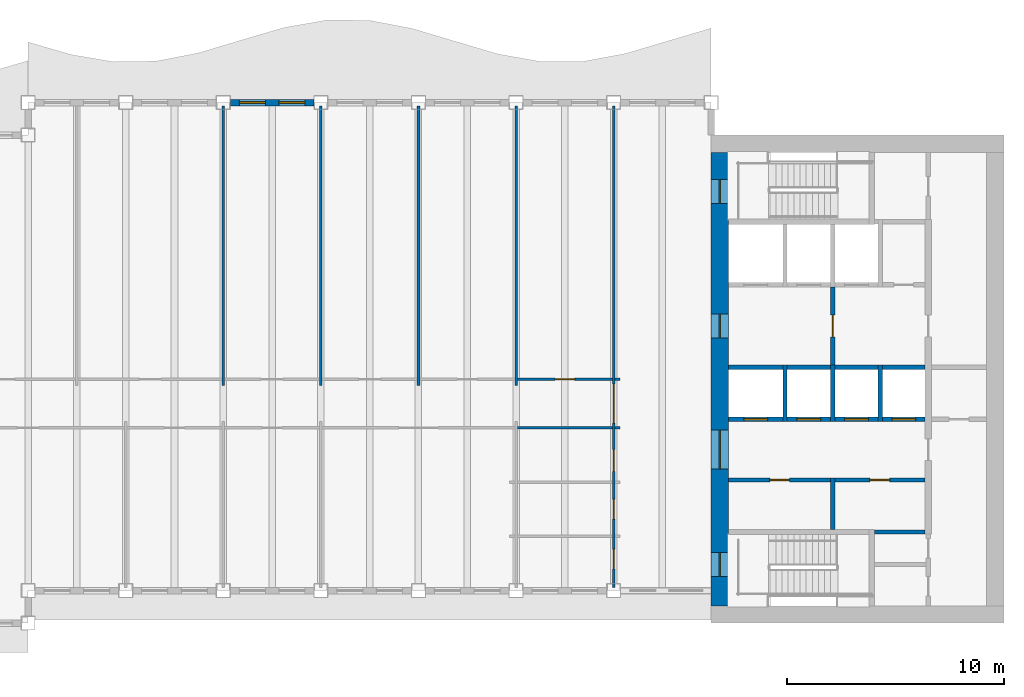
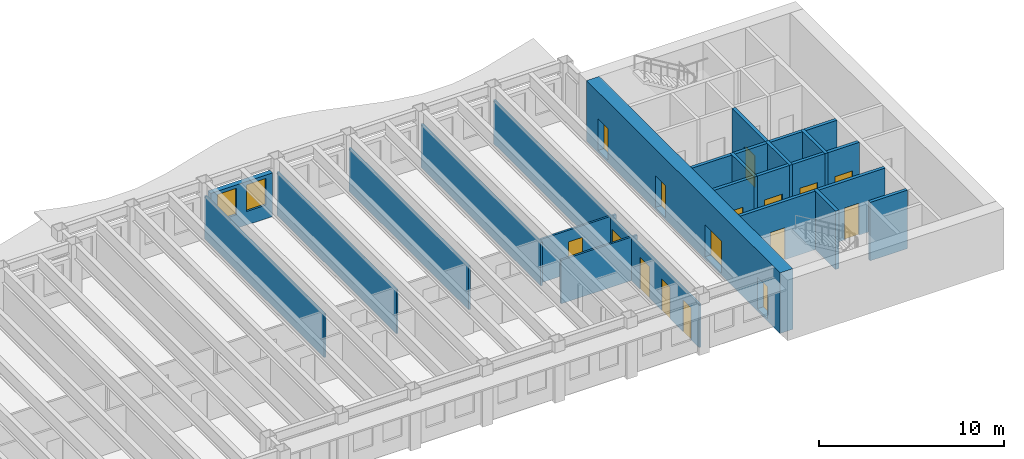
# One storey, part 5 of 12: 27 walls, 16 doors, 2 windows, 18 openings.
"""IFC4 building model written with IfcOpenShell, lengths in metres."""

from ifc_helpers import new_model, si_unit, direction, frame, frame_2d, origin, place, context, subcontext, project, spatial, rectangle, extrude, material, layer, layer_set, type_object, element, fill, save


model = new_model("IFC4")

# Units and contexts
model_context = context("Model", 3, precision=1e-05, world=origin(), true_north=direction((0.0, 1.0)))
body_context = subcontext(model_context, "Body", "Model", "MODEL_VIEW")
ifc_project = project(units=[si_unit("LENGTHUNIT", "METRE"), si_unit("AREAUNIT", "SQUARE_METRE"), si_unit("VOLUMEUNIT", "CUBIC_METRE"), si_unit("PLANEANGLEUNIT", "RADIAN"), si_unit("MASSUNIT", "GRAM", prefix="KILO")], contexts=[model_context])

# Site, building, storey
site_placement = place(None, origin())
site = spatial("IfcSite", under=ifc_project, at=site_placement, CompositionType="ELEMENT")
building_placement = place(site_placement, origin())
building = spatial("IfcBuilding", under=site, at=building_placement, Name="Sennacour Bend Tower", CompositionType="ELEMENT")
storey_placement = place(building_placement, frame((0.0, 0.0, 249.0)))
storey = spatial("IfcBuildingStorey", under=building, at=storey_placement, Name="L57", CompositionType="ELEMENT", Elevation=249.0)

# Wall, openings, doors
ifc_material_1 = material(Name="Concrete C50/60", Category="concrete")
ifc_layer_1 = layer(ifc_material_1, 0.800048828125, Name="Concrete C50/60", Category="concrete")
ifc_layer_set_1 = layer_set([ifc_layer_1], Name="Concrete C50/60")
wall_type_1 = type_object("IfcWallType", Name="Core wall 800 C50/60", PredefinedType="SHEAR", material=ifc_layer_set_1)
wall_1_placement = place(storey_placement, frame((54.39990234375, 0.800048828125, -0.14990234375), z_axis=(0.0, 0.0, 1.0), x_axis=(0.0, 1.0, 0.0)))
wall_1 = element("IfcWall", 1, at=wall_1_placement, inside=storey, type_object=wall_type_1, Name="Core A wall L57 W", PredefinedType="SHEAR", context=body_context, shape_type="SweptSolid", body=[
    extrude(rectangle(XDim=20.89990234375, YDim=0.800048828125, at=frame_2d((10.449951171875, 0.0))), origin(), (0.0, 0.0, 1.0), 4.0),
])
opening_1_placement = place(wall_1_placement, frame((6.300048828125, 0.0, 0.14990234375)))
opening_1 = element("IfcOpeningElement", 2, at=opening_1_placement, cuts=wall_1, Name="Opening CD", PredefinedType="OPENING", context=body_context, shape_type="SweptSolid", body=[
    extrude(rectangle(XDim=1.800048828125, YDim=2.10009765625, at=frame_2d((0.89990234375, 1.050048828125))), frame((0.0, 0.41015625, 0.0), z_axis=(0.0, -1.0, 0.0), x_axis=(1.0, 0.0, 0.0)), (0.0, 0.0, 1.0), 0.820068359375),
])
opening_2_placement = place(wall_1_placement, frame((12.35009765625, 0.0, 0.14990234375)))
opening_2 = element("IfcOpeningElement", 3, at=opening_2_placement, cuts=wall_1, Name="Opening FD", PredefinedType="OPENING", context=body_context, shape_type="SweptSolid", body=[
    extrude(rectangle(XDim=1.10009765625, YDim=2.10009765625, at=frame_2d((0.550048828125, 1.050048828125))), frame((0.0, 0.41015625, 0.0), z_axis=(0.0, -1.0, 0.0), x_axis=(1.0, 0.0, 0.0)), (0.0, 0.0, 1.0), 0.820068359375),
])
opening_3_placement = place(wall_1_placement, frame((1.35009765625, 0.0, 0.14990234375)))
opening_3 = element("IfcOpeningElement", 4, at=opening_3_placement, cuts=wall_1, Name="Opening SD", PredefinedType="OPENING", context=body_context, shape_type="SweptSolid", body=[
    extrude(rectangle(XDim=1.10009765625, YDim=2.10009765625, at=frame_2d((0.550048828125, 1.050048828125))), frame((0.0, 0.41015625, 0.0), z_axis=(0.0, -1.0, 0.0), x_axis=(1.0, 0.0, 0.0)), (0.0, 0.0, 1.0), 0.820068359375),
])
opening_4_placement = place(wall_1_placement, frame((18.550048828125, 0.0, 0.14990234375)))
opening_4 = element("IfcOpeningElement", 5, at=opening_4_placement, cuts=wall_1, Name="Opening SD", PredefinedType="OPENING", context=body_context, shape_type="SweptSolid", body=[
    extrude(rectangle(XDim=1.10009765625, YDim=2.10009765625, at=frame_2d((0.550048828125, 1.050048828125))), frame((0.0, 0.41015625, 0.0), z_axis=(0.0, -1.0, 0.0), x_axis=(1.0, 0.0, 0.0)), (0.0, 0.0, 1.0), 0.820068359375),
])
ifc_material_2 = material(Name="Painted steel", Category="steel")
door_type_1 = type_object("IfcDoorType", Name="DR-FFL-1100", OperationType="NOTDEFINED", PredefinedType="DOOR", material=ifc_material_2)
door_1_placement = place(opening_2_placement, origin())
door_1 = element("IfcDoor", 6, at=door_1_placement, inside=storey, type_object=door_type_1, Name="Door", OperationType="SINGLE_SWING_RIGHT", OverallHeight=2.10009765625, OverallWidth=1.10009765625, PredefinedType="DOOR", context=body_context, shape_type="SweptSolid", body=[
    extrude(rectangle(XDim=1.10009765625, YDim=2.10009765625, at=frame_2d((0.550048828125, 1.050048828125))), frame((0.0, 0.02490234375, 0.0), z_axis=(0.0, -1.0, 0.0), x_axis=(1.0, 0.0, 0.0)), (0.0, 0.0, 1.0), 0.050048828125),
])
fill(opening_2, door_1)
door_type_2 = type_object("IfcDoorType", Name="DR-LOBBY-1800", OperationType="NOTDEFINED", PredefinedType="DOOR", material=ifc_material_2)
door_2_placement = place(opening_1_placement, origin())
door_2 = element("IfcDoor", 7, at=door_2_placement, inside=storey, type_object=door_type_2, Name="Door", OperationType="DOUBLE_DOOR_SINGLE_SWING", OverallHeight=2.10009765625, OverallWidth=1.800048828125, PredefinedType="DOOR", context=body_context, shape_type="SweptSolid", body=[
    extrude(rectangle(XDim=1.800048828125, YDim=2.10009765625, at=frame_2d((0.89990234375, 1.050048828125))), frame((0.0, 0.02490234375, 0.0), z_axis=(0.0, -1.0, 0.0), x_axis=(1.0, 0.0, 0.0)), (0.0, 0.0, 1.0), 0.050048828125),
])
fill(opening_1, door_2)
door_type_3 = type_object("IfcDoorType", Name="DR-STAIR-1100", OperationType="NOTDEFINED", PredefinedType="DOOR", material=ifc_material_2)
door_3_placement = place(opening_3_placement, origin())
door_3 = element("IfcDoor", 8, at=door_3_placement, inside=storey, type_object=door_type_3, Name="Door", OperationType="SINGLE_SWING_LEFT", OverallHeight=2.10009765625, OverallWidth=1.10009765625, PredefinedType="DOOR", context=body_context, shape_type="SweptSolid", body=[
    extrude(rectangle(XDim=1.10009765625, YDim=2.10009765625, at=frame_2d((0.550048828125, 1.050048828125))), frame((0.0, 0.02490234375, 0.0), z_axis=(0.0, -1.0, 0.0), x_axis=(1.0, 0.0, 0.0)), (0.0, 0.0, 1.0), 0.050048828125),
])
fill(opening_3, door_3)
door_4_placement = place(opening_4_placement, origin())
door_4 = element("IfcDoor", 9, at=door_4_placement, inside=storey, type_object=door_type_3, Name="Door", OperationType="SINGLE_SWING_RIGHT", OverallHeight=2.10009765625, OverallWidth=1.10009765625, PredefinedType="DOOR", context=body_context, shape_type="SweptSolid", body=[
    extrude(rectangle(XDim=1.10009765625, YDim=2.10009765625, at=frame_2d((0.550048828125, 1.050048828125))), frame((0.0, 0.02490234375, 0.0), z_axis=(0.0, -1.0, 0.0), x_axis=(1.0, 0.0, 0.0)), (0.0, 0.0, 1.0), 0.050048828125),
])
fill(opening_4, door_4)

# Walls
ifc_material_3 = material(Name="Plasterboard partition on steel studs", Category="steel")
ifc_layer_2 = layer(ifc_material_3, 0.1201171875, Name="Plasterboard partition on steel studs", Category="steel")
ifc_layer_set_2 = layer_set([ifc_layer_2], Name="Plasterboard partition on steel studs")
wall_type_2 = type_object("IfcWallType", Name="Partition 120", PredefinedType="PARTITIONING", material=ifc_layer_set_2)
for number, where, z_axis, x_axis, name in (
    (10, (31.5, 10.949951171875, 0.0), (0.0, 0.0, 1.0), (0.0, 1.0, 0.0), "P-L57-W011a"),
    (11, (36.0, 10.949951171875, 0.0), (0.0, 0.0, 1.0), (0.0, 1.0, 0.0), "P-L57-W013a"),
    (12, (40.5, 10.949951171875, 0.0), (0.0, 0.0, 1.0), (0.0, 1.0, 0.0), "P-L57-W014a"),
    (13, (45.0, 10.949951171875, 0.0), (0.0, 0.0, 1.0), (0.0, 1.0, 0.0), "P-L57-W016a"),
):
    element("IfcWall", number, at=place(storey_placement, frame(where, z_axis=z_axis, x_axis=x_axis)), inside=storey, type_object=wall_type_2, Name=name, PredefinedType="PARTITIONING", context=body_context, shape_type="SweptSolid", body=[
        extrude(rectangle(XDim=12.900146484375, YDim=0.1201171875, at=frame_2d((6.4501953125, 0.0))), origin(), (0.0, 0.0, 1.0), 2.8701171875),
    ])
wall_2_placement = place(storey_placement, frame((45.06005859375, 9.0, 0.0), z_axis=(0.0, 0.0, 1.0), x_axis=(1.0, 0.0, 0.0)))
element("IfcWall", 14, at=wall_2_placement, inside=storey, type_object=wall_type_2, Name="P-L57-W043ag", PredefinedType="PARTITIONING", context=body_context, shape_type="SweptSolid", body=[
    extrude(rectangle(XDim=4.3798828125, YDim=0.1201171875, at=frame_2d((2.18994140625, 0.0))), origin(), (0.0, 0.0, 1.0), 2.8701171875),
])
for number, where, z_axis, x_axis, name in (
    (15, (49.56005859375, 9.0, 0.0), (0.0, 0.0, 1.0), (1.0, 0.0, 0.0), "P-L57-W043ah"),
    (16, (49.56005859375, 11.25, 0.0), (0.0, 0.0, 1.0), (1.0, 0.0, 0.0), "P-L57-W046ah"),
):
    element("IfcWall", number, at=place(storey_placement, frame(where, z_axis=z_axis, x_axis=x_axis)), inside=storey, type_object=wall_type_2, Name=name, PredefinedType="PARTITIONING", context=body_context, shape_type="SweptSolid", body=[
        extrude(rectangle(XDim=0.239990234375, YDim=0.1201171875, at=frame_2d((0.1201171875, 0.0))), origin(), (0.0, 0.0, 1.0), 2.8701171875),
    ])

# Wall, openings, doors
ifc_layer_3 = layer(ifc_material_3, 0.1201171875, Name="Plasterboard partition on steel studs", Category="steel")
ifc_layer_set_3 = layer_set([ifc_layer_3], Name="Plasterboard partition on steel studs")
wall_type_3 = type_object("IfcWallType", Name="Partition 120 EI 30", PredefinedType="PARTITIONING", material=ifc_layer_set_3)
wall_3_placement = place(storey_placement, frame((49.5, 1.64990234375, 0.0), z_axis=(0.0, 0.0, 1.0), x_axis=(0.0, 1.0, 0.0)))
wall_3 = element("IfcWall", 17, at=wall_3_placement, inside=storey, type_object=wall_type_3, Name="P-L57-W017a", PredefinedType="PARTITIONING", context=body_context, shape_type="SweptSolid", body=[
    extrude(rectangle(XDim=22.2001953125, YDim=0.1201171875, at=frame_2d((11.10009765625, 0.0))), origin(), (0.0, 0.0, 1.0), 2.8701171875),
])
opening_5_placement = place(wall_3_placement, frame((7.5751953125, 0.0, 0.0)))
opening_5 = element("IfcOpeningElement", 18, at=opening_5_placement, cuts=wall_3, Name="Opening KD3", PredefinedType="OPENING", context=body_context, shape_type="SweptSolid", body=[
    extrude(rectangle(XDim=1.800048828125, YDim=2.10009765625, at=frame_2d((0.89990234375, 1.050048828125))), frame((0.0, 0.070068359375, 0.0), z_axis=(0.0, -1.0, 0.0), x_axis=(1.0, 0.0, 0.0)), (0.0, 0.0, 1.0), 0.14013671875),
])
opening_6_placement = place(wall_3_placement, frame((0.85009765625, 0.0, 0.0)))
opening_6 = element("IfcOpeningElement", 19, at=opening_6_placement, cuts=wall_3, Name="Opening WD", PredefinedType="OPENING", context=body_context, shape_type="SweptSolid", body=[
    extrude(rectangle(XDim=0.89990234375, YDim=2.10009765625, at=frame_2d((0.449951171875, 1.050048828125))), frame((0.0, 0.070068359375, 0.0), z_axis=(0.0, -1.0, 0.0), x_axis=(1.0, 0.0, 0.0)), (0.0, 0.0, 1.0), 0.14013671875),
])
opening_7_placement = place(wall_3_placement, frame((3.150146484375, 0.0, 0.0)))
opening_7 = element("IfcOpeningElement", 20, at=opening_7_placement, cuts=wall_3, Name="Opening WD", PredefinedType="OPENING", context=body_context, shape_type="SweptSolid", body=[
    extrude(rectangle(XDim=0.89990234375, YDim=2.10009765625, at=frame_2d((0.449951171875, 1.050048828125))), frame((0.0, 0.070068359375, 0.0), z_axis=(0.0, -1.0, 0.0), x_axis=(1.0, 0.0, 0.0)), (0.0, 0.0, 1.0), 0.14013671875),
])
opening_8_placement = place(wall_3_placement, frame((5.35009765625, 0.0, 0.0)))
opening_8 = element("IfcOpeningElement", 21, at=opening_8_placement, cuts=wall_3, Name="Opening AD", PredefinedType="OPENING", context=body_context, shape_type="SweptSolid", body=[
    extrude(rectangle(XDim=1.0, YDim=2.10009765625, at=frame_2d((0.5, 1.050048828125))), frame((0.0, 0.070068359375, 0.0), z_axis=(0.0, -1.0, 0.0), x_axis=(1.0, 0.0, 0.0)), (0.0, 0.0, 1.0), 0.14013671875),
])
ifc_material_4 = material(Name="Timber", Category="wood")
door_type_4 = type_object("IfcDoorType", Name="DR-ACC-WC-1000", OperationType="NOTDEFINED", PredefinedType="DOOR", material=ifc_material_4)
door_5_placement = place(opening_8_placement, origin())
door_5 = element("IfcDoor", 22, at=door_5_placement, inside=storey, type_object=door_type_4, Name="Door", OperationType="SINGLE_SWING_LEFT", OverallHeight=2.10009765625, OverallWidth=1.0, PredefinedType="DOOR", context=body_context, shape_type="SweptSolid", body=[
    extrude(rectangle(XDim=1.0, YDim=2.10009765625, at=frame_2d((0.5, 1.050048828125))), frame((0.0, 0.02490234375, 0.0), z_axis=(0.0, -1.0, 0.0), x_axis=(1.0, 0.0, 0.0)), (0.0, 0.0, 1.0), 0.050048828125),
])
fill(opening_8, door_5)
door_type_5 = type_object("IfcDoorType", Name="DR-CORRIDOR-1800", OperationType="NOTDEFINED", PredefinedType="DOOR", material=ifc_material_2)
door_6_placement = place(opening_5_placement, origin())
door_6 = element("IfcDoor", 23, at=door_6_placement, inside=storey, type_object=door_type_5, Name="Door", OperationType="DOUBLE_DOOR_SINGLE_SWING", OverallHeight=2.10009765625, OverallWidth=1.800048828125, PredefinedType="DOOR", context=body_context, shape_type="SweptSolid", body=[
    extrude(rectangle(XDim=1.800048828125, YDim=2.10009765625, at=frame_2d((0.89990234375, 1.050048828125))), frame((0.0, 0.02490234375, 0.0), z_axis=(0.0, -1.0, 0.0), x_axis=(1.0, 0.0, 0.0)), (0.0, 0.0, 1.0), 0.050048828125),
])
fill(opening_5, door_6)
door_type_6 = type_object("IfcDoorType", Name="DR-WC-900", OperationType="NOTDEFINED", PredefinedType="DOOR", material=ifc_material_4)
door_7_placement = place(opening_6_placement, origin())
door_7 = element("IfcDoor", 24, at=door_7_placement, inside=storey, type_object=door_type_6, Name="Door", OperationType="SINGLE_SWING_LEFT", OverallHeight=2.10009765625, OverallWidth=0.89990234375, PredefinedType="DOOR", context=body_context, shape_type="SweptSolid", body=[
    extrude(rectangle(XDim=0.89990234375, YDim=2.10009765625, at=frame_2d((0.449951171875, 1.050048828125))), frame((0.0, 0.02490234375, 0.0), z_axis=(0.0, -1.0, 0.0), x_axis=(1.0, 0.0, 0.0)), (0.0, 0.0, 1.0), 0.050048828125),
])
fill(opening_6, door_7)
door_8_placement = place(opening_7_placement, origin())
door_8 = element("IfcDoor", 25, at=door_8_placement, inside=storey, type_object=door_type_6, Name="Door", OperationType="SINGLE_SWING_LEFT", OverallHeight=2.10009765625, OverallWidth=0.89990234375, PredefinedType="DOOR", context=body_context, shape_type="SweptSolid", body=[
    extrude(rectangle(XDim=0.89990234375, YDim=2.10009765625, at=frame_2d((0.449951171875, 1.050048828125))), frame((0.0, 0.02490234375, 0.0), z_axis=(0.0, -1.0, 0.0), x_axis=(1.0, 0.0, 0.0)), (0.0, 0.0, 1.0), 0.050048828125),
])
fill(opening_7, door_8)

# Wall, opening, door
ifc_layer_4 = layer(ifc_material_3, 0.1201171875, Name="Plasterboard partition on steel studs", Category="steel")
ifc_layer_set_4 = layer_set([ifc_layer_4], Name="Plasterboard partition on steel studs")
wall_type_4 = type_object("IfcWallType", Name="Partition 120 EI 60", PredefinedType="PARTITIONING", material=ifc_layer_set_4)
wall_4_placement = place(storey_placement, frame((45.06005859375, 11.25, 0.0), z_axis=(0.0, 0.0, 1.0), x_axis=(1.0, 0.0, 0.0)))
wall_4 = element("IfcWall", 26, at=wall_4_placement, inside=storey, type_object=wall_type_4, Name="P-L57-W046ag", PredefinedType="PARTITIONING", context=body_context, shape_type="SweptSolid", body=[
    extrude(rectangle(XDim=4.3798828125, YDim=0.1201171875, at=frame_2d((2.18994140625, 0.0))), origin(), (0.0, 0.0, 1.0), 2.8701171875),
])
opening_9_placement = place(wall_4_placement, frame((1.739990234375, 0.0, 0.0)))
opening_9 = element("IfcOpeningElement", 27, at=opening_9_placement, cuts=wall_4, Name="Opening SV", PredefinedType="OPENING", context=body_context, shape_type="SweptSolid", body=[
    extrude(rectangle(XDim=0.89990234375, YDim=2.10009765625, at=frame_2d((0.449951171875, 1.050048828125))), frame((0.0, 0.070068359375, 0.0), z_axis=(0.0, -1.0, 0.0), x_axis=(1.0, 0.0, 0.0)), (0.0, 0.0, 1.0), 0.14013671875),
])
door_type_7 = type_object("IfcDoorType", Name="DR-SERVICE-900", OperationType="NOTDEFINED", PredefinedType="DOOR", material=ifc_material_2)
door_9_placement = place(opening_9_placement, origin())
door_9 = element("IfcDoor", 28, at=door_9_placement, inside=storey, type_object=door_type_7, Name="Door", OperationType="SINGLE_SWING_LEFT", OverallHeight=2.10009765625, OverallWidth=0.89990234375, PredefinedType="DOOR", context=body_context, shape_type="SweptSolid", body=[
    extrude(rectangle(XDim=0.89990234375, YDim=2.10009765625, at=frame_2d((0.449951171875, 1.050048828125))), frame((0.0, 0.02490234375, 0.0), z_axis=(0.0, -1.0, 0.0), x_axis=(1.0, 0.0, 0.0)), (0.0, 0.0, 1.0), 0.050048828125),
])
fill(opening_9, door_9)

# Walls
ifc_material_5 = material(Name="Fire-rated plasterboard partition on steel studs", Category="steel")
ifc_layer_5 = layer(ifc_material_5, 0.199951171875, Name="Fire-rated plasterboard partition on steel studs", Category="steel")
ifc_layer_set_5 = layer_set([ifc_layer_5], Name="Fire-rated plasterboard partition on steel studs")
wall_type_5 = type_object("IfcWallType", Name="Rated partition 200", PredefinedType="PARTITIONING", material=ifc_layer_set_5)
wall_5_placement = place(storey_placement, frame((59.60009765625, 4.324951171875, 0.0), z_axis=(0.0, 0.0, 1.0), x_axis=(0.0, 1.0, 0.0)))
element("IfcWall", 29, at=wall_5_placement, inside=storey, type_object=wall_type_5, Name="P-L57-W021", PredefinedType="PARTITIONING", context=body_context, shape_type="SweptSolid", body=[
    extrude(rectangle(XDim=2.375, YDim=0.199951171875, at=frame_2d((1.1875, 0.0))), origin(), (0.0, 0.0, 1.0), 3.85009765625),
])
wall_6_placement = place(storey_placement, frame((61.52490234375, 4.199951171875, 0.0), z_axis=(0.0, 0.0, 1.0), x_axis=(1.0, 0.0, 0.0)))
element("IfcWall", 30, at=wall_6_placement, inside=storey, type_object=wall_type_5, Name="P-L57-W040", PredefinedType="PARTITIONING", context=body_context, shape_type="SweptSolid", body=[
    extrude(rectangle(XDim=2.3251953125, YDim=0.199951171875, at=frame_2d((1.16259765625, 0.0))), origin(), (0.0, 0.0, 1.0), 3.85009765625),
])

# Wall, opening, door
wall_7_placement = place(storey_placement, frame((54.800048828125, 6.60009765625, 0.0), z_axis=(0.0, 0.0, 1.0), x_axis=(1.0, 0.0, 0.0)))
wall_7 = element("IfcWall", 31, at=wall_7_placement, inside=storey, type_object=wall_type_5, Name="P-L57-W042a", PredefinedType="PARTITIONING", context=body_context, shape_type="SweptSolid", body=[
    extrude(rectangle(XDim=4.699951171875, YDim=0.199951171875, at=frame_2d((2.35009765625, 0.0))), origin(), (0.0, 0.0, 1.0), 3.85009765625),
])
opening_10_placement = place(wall_7_placement, frame((1.89990234375, 0.0, 0.0)))
opening_10 = element("IfcOpeningElement", 32, at=opening_10_placement, cuts=wall_7, Name="Opening SV", PredefinedType="OPENING", context=body_context, shape_type="SweptSolid", body=[
    extrude(rectangle(XDim=0.89990234375, YDim=2.10009765625, at=frame_2d((0.449951171875, 1.050048828125))), frame((0.0, 0.10986328125, 0.0), z_axis=(0.0, -1.0, 0.0), x_axis=(1.0, 0.0, 0.0)), (0.0, 0.0, 1.0), 0.219970703125),
])
door_10_placement = place(opening_10_placement, origin())
door_10 = element("IfcDoor", 33, at=door_10_placement, inside=storey, type_object=door_type_7, Name="Door", OperationType="SINGLE_SWING_LEFT", OverallHeight=2.10009765625, OverallWidth=0.89990234375, PredefinedType="DOOR", context=body_context, shape_type="SweptSolid", body=[
    extrude(rectangle(XDim=0.89990234375, YDim=2.10009765625, at=frame_2d((0.449951171875, 1.050048828125))), frame((0.0, 0.02490234375, 0.0), z_axis=(0.0, -1.0, 0.0), x_axis=(1.0, 0.0, 0.0)), (0.0, 0.0, 1.0), 0.050048828125),
])
fill(opening_10, door_10)

wall_8_placement = place(storey_placement, frame((59.699951171875, 6.60009765625, 0.0), z_axis=(0.0, 0.0, 1.0), x_axis=(1.0, 0.0, 0.0)))
wall_8 = element("IfcWall", 34, at=wall_8_placement, inside=storey, type_object=wall_type_5, Name="P-L57-W042b", PredefinedType="PARTITIONING", context=body_context, shape_type="SweptSolid", body=[
    extrude(rectangle(XDim=4.150146484375, YDim=0.199951171875, at=frame_2d((2.0751953125, 0.0))), origin(), (0.0, 0.0, 1.0), 3.85009765625),
])
opening_11_placement = place(wall_8_placement, frame((1.625, 0.0, 0.0)))
opening_11 = element("IfcOpeningElement", 35, at=opening_11_placement, cuts=wall_8, Name="Opening SV", PredefinedType="OPENING", context=body_context, shape_type="SweptSolid", body=[
    extrude(rectangle(XDim=0.89990234375, YDim=2.10009765625, at=frame_2d((0.449951171875, 1.050048828125))), frame((0.0, 0.10986328125, 0.0), z_axis=(0.0, -1.0, 0.0), x_axis=(1.0, 0.0, 0.0)), (0.0, 0.0, 1.0), 0.219970703125),
])
door_11_placement = place(opening_11_placement, origin())
door_11 = element("IfcDoor", 36, at=door_11_placement, inside=storey, type_object=door_type_7, Name="Door", OperationType="SINGLE_SWING_LEFT", OverallHeight=2.10009765625, OverallWidth=0.89990234375, PredefinedType="DOOR", context=body_context, shape_type="SweptSolid", body=[
    extrude(rectangle(XDim=0.89990234375, YDim=2.10009765625, at=frame_2d((0.449951171875, 1.050048828125))), frame((0.0, 0.02490234375, 0.0), z_axis=(0.0, -1.0, 0.0), x_axis=(1.0, 0.0, 0.0)), (0.0, 0.0, 1.0), 0.050048828125),
])
fill(opening_11, door_11)

ifc_layer_6 = layer(ifc_material_5, 0.199951171875, Name="Fire-rated plasterboard partition on steel studs", Category="steel")
ifc_layer_set_6 = layer_set([ifc_layer_6], Name="Fire-rated plasterboard partition on steel studs")
wall_type_6 = type_object("IfcWallType", Name="Rated partition 200 EI 90", PredefinedType="PARTITIONING", material=ifc_layer_set_6)
wall_9_placement = place(storey_placement, frame((59.60009765625, 11.89990234375, 0.0), z_axis=(0.0, 0.0, 1.0), x_axis=(0.0, 1.0, 0.0)))
wall_9 = element("IfcWall", 37, at=wall_9_placement, inside=storey, type_object=wall_type_6, Name="P-L57-W023", PredefinedType="PARTITIONING", context=body_context, shape_type="SweptSolid", body=[
    extrude(rectangle(XDim=3.60009765625, YDim=0.199951171875, at=frame_2d((1.800048828125, 0.0))), origin(), (0.0, 0.0, 1.0), 3.85009765625),
])
opening_12_placement = place(wall_9_placement, frame((1.300048828125, 0.0, 0.0)))
opening_12 = element("IfcOpeningElement", 38, at=opening_12_placement, cuts=wall_9, Name="Opening FD2", PredefinedType="OPENING", context=body_context, shape_type="SweptSolid", body=[
    extrude(rectangle(XDim=1.0, YDim=2.10009765625, at=frame_2d((0.5, 1.050048828125))), frame((0.0, 0.10986328125, 0.0), z_axis=(0.0, -1.0, 0.0), x_axis=(1.0, 0.0, 0.0)), (0.0, 0.0, 1.0), 0.219970703125),
])
door_type_8 = type_object("IfcDoorType", Name="DR-FFL-1000", OperationType="NOTDEFINED", PredefinedType="DOOR", material=ifc_material_2)
door_12_placement = place(opening_12_placement, origin())
door_12 = element("IfcDoor", 39, at=door_12_placement, inside=storey, type_object=door_type_8, Name="Door", OperationType="SINGLE_SWING_LEFT", OverallHeight=2.10009765625, OverallWidth=1.0, PredefinedType="DOOR", context=body_context, shape_type="SweptSolid", body=[
    extrude(rectangle(XDim=1.0, YDim=2.10009765625, at=frame_2d((0.5, 1.050048828125))), frame((0.0, 0.02490234375, 0.0), z_axis=(0.0, -1.0, 0.0), x_axis=(1.0, 0.0, 0.0)), (0.0, 0.0, 1.0), 0.050048828125),
])
fill(opening_12, door_12)

# Wall, openings, windows
ifc_material_6 = material(Name="Warm limestone cladding", Category="masonry")
ifc_layer_7 = layer(ifc_material_6, 0.050048828125, Name="Warm limestone cladding", Category="masonry")
ifc_material_7 = material(Name="Precast concrete C40/50", Category="concrete")
ifc_layer_8 = layer(ifc_material_7, 0.25, Name="Precast concrete C40/50", Category="concrete")
ifc_layer_set_7 = layer_set([ifc_layer_7, ifc_layer_8], Name="Precast concrete C40/50 with limestone cladding")
wall_type_7 = type_object("IfcWallType", Name="STONE-CLAD PRECAST SPANDREL 300", PredefinedType="STANDARD", material=ifc_layer_set_7)
wall_10_placement = place(storey_placement, frame((35.675048828125, 24.0, 0.0), z_axis=(0.0, 0.0, 1.0), x_axis=(-1.0, 0.0, 0.0)))
wall_10 = element("IfcWall", 40, at=wall_10_placement, inside=storey, type_object=wall_type_7, Name="Stone spandrel and pier wall L57 07.04", PredefinedType="STANDARD", context=body_context, shape_type="SweptSolid", body=[
    extrude(rectangle(XDim=3.85009765625, YDim=0.300048828125, at=frame_2d((1.925048828125, 0.0))), origin(), (0.0, 0.0, 1.0), 2.8701171875),
])
opening_13_placement = place(wall_10_placement, frame((0.41259765625, 0.0, 0.89990234375)))
opening_13 = element("IfcOpeningElement", 41, at=opening_13_placement, cuts=wall_10, Name="Opening W16", PredefinedType="OPENING", context=body_context, shape_type="SweptSolid", body=[
    extrude(rectangle(XDim=1.199951171875, YDim=1.75, at=frame_2d((0.60009765625, 0.875))), frame((0.0, 0.16015625, 0.0), z_axis=(0.0, -1.0, 0.0), x_axis=(1.0, 0.0, 0.0)), (0.0, 0.0, 1.0), 0.320068359375),
])
opening_14_placement = place(wall_10_placement, frame((2.237548828125, 0.0, 0.89990234375)))
opening_14 = element("IfcOpeningElement", 42, at=opening_14_placement, cuts=wall_10, Name="Opening W16", PredefinedType="OPENING", context=body_context, shape_type="SweptSolid", body=[
    extrude(rectangle(XDim=1.199951171875, YDim=1.75, at=frame_2d((0.60009765625, 0.875))), frame((0.0, 0.16015625, 0.0), z_axis=(0.0, -1.0, 0.0), x_axis=(1.0, 0.0, 0.0)), (0.0, 0.0, 1.0), 0.320068359375),
])
ifc_material_8 = material(Name="Clear low-emissivity glass", Category="glass")
window_type = type_object("IfcWindowType", Name="WIN-RIBBON-1200x1750", PartitioningType="SINGLE_PANEL", PredefinedType="WINDOW", material=ifc_material_8)
window_1_placement = place(opening_13_placement, origin())
window_1 = element("IfcWindow", 43, at=window_1_placement, inside=storey, type_object=window_type, Name="Ribbon window L57 07.04.0", OverallHeight=1.75, OverallWidth=1.199951171875, PartitioningType="SINGLE_PANEL", PredefinedType="WINDOW", context=body_context, shape_type="SweptSolid", body=[
    extrude(rectangle(XDim=1.199951171875, YDim=1.75, at=frame_2d((0.60009765625, 0.875))), frame((0.0, 0.030029296875, 0.0), z_axis=(0.0, -1.0, 0.0), x_axis=(1.0, 0.0, 0.0)), (0.0, 0.0, 1.0), 0.06005859375),
])
fill(opening_13, window_1)
window_2_placement = place(opening_14_placement, origin())
window_2 = element("IfcWindow", 44, at=window_2_placement, inside=storey, type_object=window_type, Name="Ribbon window L57 07.04.1", OverallHeight=1.75, OverallWidth=1.199951171875, PartitioningType="SINGLE_PANEL", PredefinedType="WINDOW", context=body_context, shape_type="SweptSolid", body=[
    extrude(rectangle(XDim=1.199951171875, YDim=1.75, at=frame_2d((0.60009765625, 0.875))), frame((0.0, 0.030029296875, 0.0), z_axis=(0.0, -1.0, 0.0), x_axis=(1.0, 0.0, 0.0)), (0.0, 0.0, 1.0), 0.06005859375),
])
fill(opening_14, window_2)

# Walls
ifc_layer_9 = layer(ifc_material_1, 0.199951171875, Name="Concrete C50/60", Category="concrete")
ifc_layer_set_8 = layer_set([ifc_layer_9], Name="Concrete C50/60")
wall_type_8 = type_object("IfcWallType", Name="Shaft wall 200", PredefinedType="SOLIDWALL", material=ifc_layer_set_8)
for number, where, z_axis, x_axis, name in (
    (45, (57.39990234375, 9.300048828125, 0.0), (0.0, 0.0, 1.0), (0.0, 1.0, 0.0), "P-L57-W019"),
    (46, (59.60009765625, 9.300048828125, 0.0), (0.0, 0.0, 1.0), (0.0, 1.0, 0.0), "P-L57-W022"),
    (47, (61.800048828125, 9.300048828125, 0.0), (0.0, 0.0, 1.0), (0.0, 1.0, 0.0), "P-L57-W027"),
):
    element("IfcWall", number, at=place(storey_placement, frame(where, z_axis=z_axis, x_axis=x_axis)), inside=storey, type_object=wall_type_8, Name=name, PredefinedType="SOLIDWALL", context=body_context, shape_type="SweptSolid", body=[
        extrude(rectangle(XDim=2.599853515625, YDim=0.199951171875, at=frame_2d((1.2998046875, 0.0))), origin(), (0.0, 0.0, 1.0), 3.85009765625),
    ])

# Wall, opening, door
wall_11_placement = place(storey_placement, frame((54.800048828125, 9.39990234375, 0.0), z_axis=(0.0, 0.0, 1.0), x_axis=(1.0, 0.0, 0.0)))
wall_11 = element("IfcWall", 48, at=wall_11_placement, inside=storey, type_object=wall_type_8, Name="P-L57-W044a", PredefinedType="SOLIDWALL", context=body_context, shape_type="SweptSolid", body=[
    extrude(rectangle(XDim=2.5, YDim=0.199951171875, at=frame_2d((1.25, 0.0))), origin(), (0.0, 0.0, 1.0), 3.85009765625),
])
opening_15_placement = place(wall_11_placement, frame((0.699951171875, 0.0, 0.011962890625)))
opening_15 = element("IfcOpeningElement", 49, at=opening_15_placement, cuts=wall_11, Name="Opening LD", PredefinedType="OPENING", context=body_context, shape_type="SweptSolid", body=[
    extrude(rectangle(XDim=1.10009765625, YDim=2.10009765625, at=frame_2d((0.550048828125, 1.050048828125))), frame((0.0, 0.10986328125, 0.0), z_axis=(0.0, -1.0, 0.0), x_axis=(1.0, 0.0, 0.0)), (0.0, 0.0, 1.0), 0.219970703125),
])
ifc_material_9 = material(Name="Stainless steel", Category="steel")
door_type_9 = type_object("IfcDoorType", Name="DR-LANDING-1100", OperationType="NOTDEFINED", PredefinedType="DOOR", material=ifc_material_9)
door_13_placement = place(opening_15_placement, origin())
door_13 = element("IfcDoor", 50, at=door_13_placement, inside=storey, type_object=door_type_9, Name="Lift landing door HA1", OperationType="SLIDING_TO_LEFT", OverallHeight=2.10009765625, OverallWidth=1.10009765625, PredefinedType="DOOR", context=body_context, shape_type="SweptSolid", body=[
    extrude(rectangle(XDim=1.10009765625, YDim=2.10009765625, at=frame_2d((0.550048828125, 1.050048828125))), frame((0.0, 0.02490234375, 0.0), z_axis=(0.0, -1.0, 0.0), x_axis=(1.0, 0.0, 0.0)), (0.0, 0.0, 1.0), 0.050048828125),
])
fill(opening_15, door_13)

wall_12_placement = place(storey_placement, frame((57.5, 9.39990234375, 0.0), z_axis=(0.0, 0.0, 1.0), x_axis=(1.0, 0.0, 0.0)))
wall_12 = element("IfcWall", 51, at=wall_12_placement, inside=storey, type_object=wall_type_8, Name="P-L57-W044b", PredefinedType="SOLIDWALL", context=body_context, shape_type="SweptSolid", body=[
    extrude(rectangle(XDim=2.0, YDim=0.199951171875, at=frame_2d((1.0, 0.0))), origin(), (0.0, 0.0, 1.0), 3.85009765625),
])
opening_16_placement = place(wall_12_placement, frame((0.449951171875, 0.0, 0.011962890625)))
opening_16 = element("IfcOpeningElement", 52, at=opening_16_placement, cuts=wall_12, Name="Opening LD", PredefinedType="OPENING", context=body_context, shape_type="SweptSolid", body=[
    extrude(rectangle(XDim=1.10009765625, YDim=2.10009765625, at=frame_2d((0.550048828125, 1.050048828125))), frame((0.0, 0.10986328125, 0.0), z_axis=(0.0, -1.0, 0.0), x_axis=(1.0, 0.0, 0.0)), (0.0, 0.0, 1.0), 0.219970703125),
])
door_14_placement = place(opening_16_placement, origin())
door_14 = element("IfcDoor", 53, at=door_14_placement, inside=storey, type_object=door_type_9, Name="Lift landing door HA2", OperationType="SLIDING_TO_RIGHT", OverallHeight=2.10009765625, OverallWidth=1.10009765625, PredefinedType="DOOR", context=body_context, shape_type="SweptSolid", body=[
    extrude(rectangle(XDim=1.10009765625, YDim=2.10009765625, at=frame_2d((0.550048828125, 1.050048828125))), frame((0.0, 0.02490234375, 0.0), z_axis=(0.0, -1.0, 0.0), x_axis=(1.0, 0.0, 0.0)), (0.0, 0.0, 1.0), 0.050048828125),
])
fill(opening_16, door_14)

wall_13_placement = place(storey_placement, frame((59.699951171875, 9.39990234375, 0.0), z_axis=(0.0, 0.0, 1.0), x_axis=(1.0, 0.0, 0.0)))
wall_13 = element("IfcWall", 54, at=wall_13_placement, inside=storey, type_object=wall_type_8, Name="P-L57-W044c", PredefinedType="SOLIDWALL", context=body_context, shape_type="SweptSolid", body=[
    extrude(rectangle(XDim=2.0, YDim=0.199951171875, at=frame_2d((1.0, 0.0))), origin(), (0.0, 0.0, 1.0), 3.85009765625),
])
opening_17_placement = place(wall_13_placement, frame((0.449951171875, 0.0, 0.011962890625)))
opening_17 = element("IfcOpeningElement", 55, at=opening_17_placement, cuts=wall_13, Name="Opening LD", PredefinedType="OPENING", context=body_context, shape_type="SweptSolid", body=[
    extrude(rectangle(XDim=1.10009765625, YDim=2.10009765625, at=frame_2d((0.550048828125, 1.050048828125))), frame((0.0, 0.10986328125, 0.0), z_axis=(0.0, -1.0, 0.0), x_axis=(1.0, 0.0, 0.0)), (0.0, 0.0, 1.0), 0.219970703125),
])
door_15_placement = place(opening_17_placement, origin())
door_15 = element("IfcDoor", 56, at=door_15_placement, inside=storey, type_object=door_type_9, Name="Lift landing door HA3", OperationType="SLIDING_TO_LEFT", OverallHeight=2.10009765625, OverallWidth=1.10009765625, PredefinedType="DOOR", context=body_context, shape_type="SweptSolid", body=[
    extrude(rectangle(XDim=1.10009765625, YDim=2.10009765625, at=frame_2d((0.550048828125, 1.050048828125))), frame((0.0, 0.02490234375, 0.0), z_axis=(0.0, -1.0, 0.0), x_axis=(1.0, 0.0, 0.0)), (0.0, 0.0, 1.0), 0.050048828125),
])
fill(opening_17, door_15)

wall_14_placement = place(storey_placement, frame((61.89990234375, 9.39990234375, 0.0), z_axis=(0.0, 0.0, 1.0), x_axis=(1.0, 0.0, 0.0)))
wall_14 = element("IfcWall", 57, at=wall_14_placement, inside=storey, type_object=wall_type_8, Name="P-L57-W044d", PredefinedType="SOLIDWALL", context=body_context, shape_type="SweptSolid", body=[
    extrude(rectangle(XDim=1.9501953125, YDim=0.199951171875, at=frame_2d((0.97509765625, 0.0))), origin(), (0.0, 0.0, 1.0), 3.85009765625),
])
opening_18_placement = place(wall_14_placement, frame((0.425048828125, 0.0, 0.011962890625)))
opening_18 = element("IfcOpeningElement", 58, at=opening_18_placement, cuts=wall_14, Name="Opening LD", PredefinedType="OPENING", context=body_context, shape_type="SweptSolid", body=[
    extrude(rectangle(XDim=1.10009765625, YDim=2.10009765625, at=frame_2d((0.550048828125, 1.050048828125))), frame((0.0, 0.10986328125, 0.0), z_axis=(0.0, -1.0, 0.0), x_axis=(1.0, 0.0, 0.0)), (0.0, 0.0, 1.0), 0.219970703125),
])
door_16_placement = place(opening_18_placement, origin())
door_16 = element("IfcDoor", 59, at=door_16_placement, inside=storey, type_object=door_type_9, Name="Lift landing door HA4", OperationType="SLIDING_TO_RIGHT", OverallHeight=2.10009765625, OverallWidth=1.10009765625, PredefinedType="DOOR", context=body_context, shape_type="SweptSolid", body=[
    extrude(rectangle(XDim=1.10009765625, YDim=2.10009765625, at=frame_2d((0.550048828125, 1.050048828125))), frame((0.0, 0.02490234375, 0.0), z_axis=(0.0, -1.0, 0.0), x_axis=(1.0, 0.0, 0.0)), (0.0, 0.0, 1.0), 0.050048828125),
])
fill(opening_18, door_16)

# Walls
wall_15_placement = place(storey_placement, frame((54.800048828125, 11.800048828125, 0.0), z_axis=(0.0, 0.0, 1.0), x_axis=(1.0, 0.0, 0.0)))
element("IfcWall", 60, at=wall_15_placement, inside=storey, type_object=wall_type_8, Name="P-L57-W047a", PredefinedType="SOLIDWALL", context=body_context, shape_type="SweptSolid", body=[
    extrude(rectangle(XDim=2.5, YDim=0.199951171875, at=frame_2d((1.25, 0.0))), origin(), (0.0, 0.0, 1.0), 3.85009765625),
])
for number, where, z_axis, x_axis, name in (
    (61, (57.5, 11.800048828125, 0.0), (0.0, 0.0, 1.0), (1.0, 0.0, 0.0), "P-L57-W047b"),
    (62, (59.699951171875, 11.800048828125, 0.0), (0.0, 0.0, 1.0), (1.0, 0.0, 0.0), "P-L57-W047c"),
):
    element("IfcWall", number, at=place(storey_placement, frame(where, z_axis=z_axis, x_axis=x_axis)), inside=storey, type_object=wall_type_8, Name=name, PredefinedType="SOLIDWALL", context=body_context, shape_type="SweptSolid", body=[
        extrude(rectangle(XDim=2.0, YDim=0.199951171875, at=frame_2d((1.0, 0.0))), origin(), (0.0, 0.0, 1.0), 3.85009765625),
    ])
wall_16_placement = place(storey_placement, frame((61.89990234375, 11.800048828125, 0.0), z_axis=(0.0, 0.0, 1.0), x_axis=(1.0, 0.0, 0.0)))
element("IfcWall", 63, at=wall_16_placement, inside=storey, type_object=wall_type_8, Name="P-L57-W047d", PredefinedType="SOLIDWALL", context=body_context, shape_type="SweptSolid", body=[
    extrude(rectangle(XDim=1.9501953125, YDim=0.199951171875, at=frame_2d((0.97509765625, 0.0))), origin(), (0.0, 0.0, 1.0), 3.85009765625),
])

save(model, "model.ifc")
